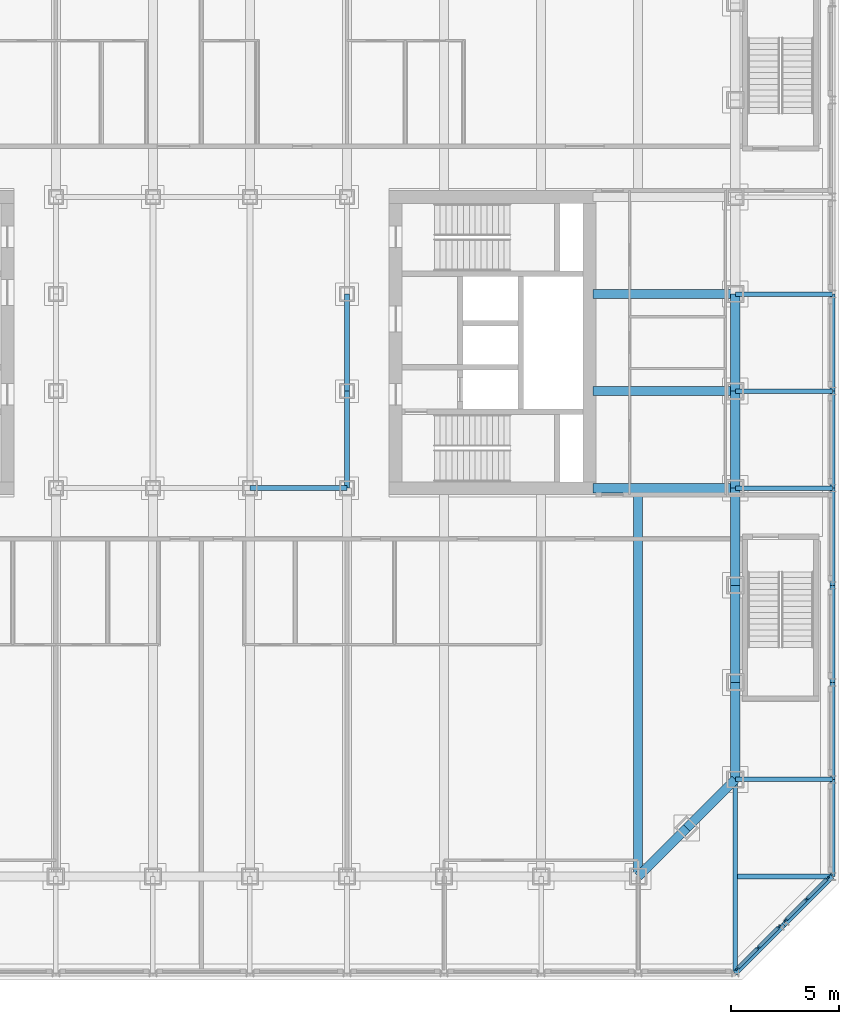
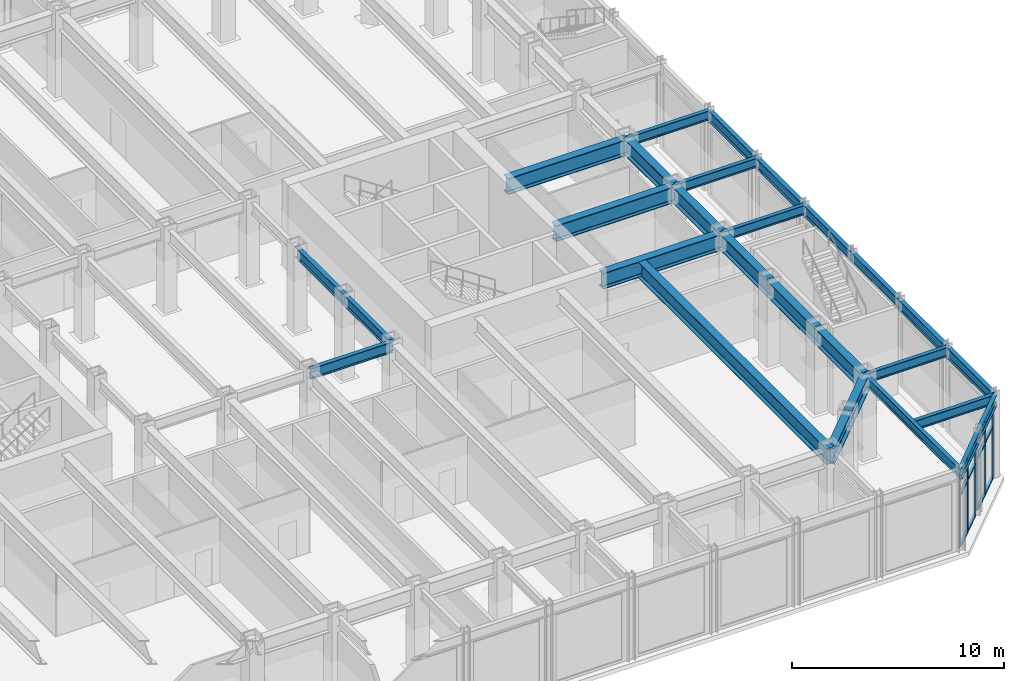
# One storey, part 6 of 19: 28 beams, 18 members, 2 elements without a shape of their own.
"""IFC4 building model written with IfcOpenShell, lengths in metres."""

from ifc_helpers import new_model, si_unit, direction, frame, origin, origin_2d, place, context, subcontext, project, spatial, rectangle, i_section, extrude, material, material_profile, profile_set, type_object, element, aggregate, save


model = new_model("IFC4")

# Units and contexts
model_context = context("Model", 3, precision=1e-05, world=origin(), true_north=direction((0.0, 1.0)))
body_context = subcontext(model_context, "Body", "Model", "MODEL_VIEW")
ifc_project = project(units=[si_unit("LENGTHUNIT", "METRE"), si_unit("AREAUNIT", "SQUARE_METRE"), si_unit("VOLUMEUNIT", "CUBIC_METRE"), si_unit("PLANEANGLEUNIT", "RADIAN"), si_unit("MASSUNIT", "GRAM", prefix="KILO")], contexts=[model_context])

# Site, building, storey
site_placement = place(None, origin())
site = spatial("IfcSite", under=ifc_project, at=site_placement, CompositionType="ELEMENT")
building_placement = place(site_placement, origin())
building = spatial("IfcBuilding", under=site, at=building_placement, Name="Msasa Ring Tower", CompositionType="ELEMENT")
storey_placement = place(building_placement, frame((0.0, 0.0, 11.0)))
storey = spatial("IfcBuildingStorey", under=building, at=storey_placement, Name="L02", CompositionType="ELEMENT", Elevation=11.0)

# Curtain wall, members
ifc_material_1 = material(Name="Aluminium curtain wall with clear glass", Category="aluminium")
curtain_wall_type = type_object("IfcCurtainWallType", Name="CW-K PODIUM CORNER CURTAIN WALL", PredefinedType="NOTDEFINED", material=ifc_material_1)
curtain_wall_1_placement = place(storey_placement, origin())
curtain_wall_1 = element("IfcCurtainWall", 1, at=curtain_wall_1_placement, inside=storey, type_object=curtain_wall_type, Name="Podium corner curtain wall SE L02", PredefinedType="NOTDEFINED")
ifc_material_2 = material(Name="Aluminium mullion", Category="aluminium")
ifc_material_profile_1 = material_profile(ifc_material_2, rectangle(XDim=0.070068359375, YDim=0.199951171875, at=origin_2d()), Name="AL 70x200")
ifc_profile_set_1 = profile_set([ifc_material_profile_1], Name="Aluminium mullion")
member_type_1 = type_object("IfcMemberType", Name="CW-K MULLION 70x200", PredefinedType="MULLION", material=ifc_profile_set_1)
member_1_placement = place(storey_placement, frame((24.836669921875, -29.02197265625, 0.0), z_axis=(0.0, 0.0, 1.0), x_axis=(-0.707106781187, 0.707106781187, 0.0)))
member_1 = element("IfcMember", 2, at=member_1_placement, type_object=member_type_1, Name="CW-K mullion 1", PredefinedType="MULLION", context=body_context, shape_type="SweptSolid", body=[
    extrude(rectangle(XDim=0.070068359375, YDim=0.199951171875, at=origin_2d()), origin(), (0.0, 0.0, 1.0), 4.1328125),
])
member_2_placement = place(storey_placement, frame((25.80419921875, -28.05419921875, 0.0), z_axis=(0.0, 0.0, 1.0), x_axis=(-0.707106781187, 0.707106781187, 0.0)))
member_2 = element("IfcMember", 3, at=member_2_placement, type_object=member_type_1, Name="CW-K mullion 2", PredefinedType="MULLION", context=body_context, shape_type="SweptSolid", body=[
    extrude(rectangle(XDim=0.070068359375, YDim=0.199951171875, at=origin_2d()), origin(), (0.0, 0.0, 1.0), 4.1328125),
])
member_3_placement = place(storey_placement, frame((26.77197265625, -27.086669921875, 0.0), z_axis=(0.0, 0.0, 1.0), x_axis=(-0.707106781187, 0.707106781187, 0.0)))
member_3 = element("IfcMember", 4, at=member_3_placement, type_object=member_type_1, Name="CW-K mullion 3", PredefinedType="MULLION", context=body_context, shape_type="SweptSolid", body=[
    extrude(rectangle(XDim=0.070068359375, YDim=0.199951171875, at=origin_2d()), origin(), (0.0, 0.0, 1.0), 4.1328125),
])

curtain_wall_2_placement = place(storey_placement, origin())
curtain_wall_2 = element("IfcCurtainWall", 5, at=curtain_wall_2_placement, inside=storey, type_object=curtain_wall_type, Name="Podium corner curtain wall SE L02", PredefinedType="NOTDEFINED")
member_4_placement = place(storey_placement, frame((27.086669921875, -26.77197265625, 0.0), z_axis=(0.0, 0.0, 1.0), x_axis=(-0.707106781187, 0.707106781187, 0.0)))
member_4 = element("IfcMember", 6, at=member_4_placement, type_object=member_type_1, Name="CW-K mullion 1", PredefinedType="MULLION", context=body_context, shape_type="SweptSolid", body=[
    extrude(rectangle(XDim=0.070068359375, YDim=0.199951171875, at=origin_2d()), origin(), (0.0, 0.0, 1.0), 4.1328125),
])
member_5_placement = place(storey_placement, frame((28.05419921875, -25.80419921875, 0.0), z_axis=(0.0, 0.0, 1.0), x_axis=(-0.707106781187, 0.707106781187, 0.0)))
member_5 = element("IfcMember", 7, at=member_5_placement, type_object=member_type_1, Name="CW-K mullion 2", PredefinedType="MULLION", context=body_context, shape_type="SweptSolid", body=[
    extrude(rectangle(XDim=0.070068359375, YDim=0.199951171875, at=origin_2d()), origin(), (0.0, 0.0, 1.0), 4.1328125),
])
member_6_placement = place(storey_placement, frame((29.02197265625, -24.836669921875, 0.0), z_axis=(0.0, 0.0, 1.0), x_axis=(-0.707106781187, 0.707106781187, 0.0)))
member_6 = element("IfcMember", 8, at=member_6_placement, type_object=member_type_1, Name="CW-K mullion 3", PredefinedType="MULLION", context=body_context, shape_type="SweptSolid", body=[
    extrude(rectangle(XDim=0.070068359375, YDim=0.199951171875, at=origin_2d()), origin(), (0.0, 0.0, 1.0), 4.1328125),
])

# Member
ifc_material_3 = material(Name="Aluminium transom", Category="aluminium")
ifc_material_profile_2 = material_profile(ifc_material_3, rectangle(XDim=0.14990234375, YDim=0.070068359375, at=origin_2d()), Name="AL 70x150")
ifc_profile_set_2 = profile_set([ifc_material_profile_2], Name="Aluminium transom")
member_type_2 = type_object("IfcMemberType", Name="CW-K TRANSOM 70x150", PredefinedType="USERDEFINED", material=ifc_profile_set_2)
member_7_placement = place(storey_placement, frame((24.861572265625, -28.9970703125, 0.034912109375), z_axis=(0.707106781187, 0.707106781187, 0.0), x_axis=(-0.707106781187, 0.707106781187, 0.0)))
member_7 = element("IfcMember", 9, at=member_7_placement, type_object=member_type_2, Name="CW-K transom 1.1", ObjectType="TRANSOM", PredefinedType="USERDEFINED", context=body_context, shape_type="SweptSolid", body=[
    extrude(rectangle(XDim=0.14990234375, YDim=0.070068359375, at=origin_2d()), origin(), (0.0, 0.0, 1.0), 1.298095703125),
])

member_8_placement = place(storey_placement, frame((24.861572265625, -28.9970703125, 3.0), z_axis=(0.707106781187, 0.707106781187, 0.0), x_axis=(-0.707106781187, 0.707106781187, 0.0)))
member_8 = element("IfcMember", 10, at=member_8_placement, type_object=member_type_2, Name="CW-K transom 1.2", ObjectType="TRANSOM", PredefinedType="USERDEFINED", context=body_context, shape_type="SweptSolid", body=[
    extrude(rectangle(XDim=0.14990234375, YDim=0.070068359375, at=origin_2d()), origin(), (0.0, 0.0, 1.0), 1.298095703125),
])

member_9_placement = place(storey_placement, frame((24.861572265625, -28.9970703125, 4.097900390625), z_axis=(0.707106781187, 0.707106781187, 0.0), x_axis=(-0.707106781187, 0.707106781187, 0.0)))
member_9 = element("IfcMember", 11, at=member_9_placement, type_object=member_type_2, Name="CW-K transom 1.3", ObjectType="TRANSOM", PredefinedType="USERDEFINED", context=body_context, shape_type="SweptSolid", body=[
    extrude(rectangle(XDim=0.14990234375, YDim=0.070068359375, at=origin_2d()), origin(), (0.0, 0.0, 1.0), 1.298095703125),
])

member_10_placement = place(storey_placement, frame((25.8291015625, -28.029541015625, 0.034912109375), z_axis=(0.707106781187, 0.707106781187, 0.0), x_axis=(-0.707106781187, 0.707106781187, 0.0)))
member_10 = element("IfcMember", 12, at=member_10_placement, type_object=member_type_2, Name="CW-K transom 2.1", ObjectType="TRANSOM", PredefinedType="USERDEFINED", context=body_context, shape_type="SweptSolid", body=[
    extrude(rectangle(XDim=0.14990234375, YDim=0.070068359375, at=origin_2d()), origin(), (0.0, 0.0, 1.0), 1.298095703125),
])

member_11_placement = place(storey_placement, frame((25.8291015625, -28.029541015625, 3.0), z_axis=(0.707106781187, 0.707106781187, 0.0), x_axis=(-0.707106781187, 0.707106781187, 0.0)))
member_11 = element("IfcMember", 13, at=member_11_placement, type_object=member_type_2, Name="CW-K transom 2.2", ObjectType="TRANSOM", PredefinedType="USERDEFINED", context=body_context, shape_type="SweptSolid", body=[
    extrude(rectangle(XDim=0.14990234375, YDim=0.070068359375, at=origin_2d()), origin(), (0.0, 0.0, 1.0), 1.298095703125),
])

member_12_placement = place(storey_placement, frame((25.8291015625, -28.029541015625, 4.097900390625), z_axis=(0.707106781187, 0.707106781187, 0.0), x_axis=(-0.707106781187, 0.707106781187, 0.0)))
member_12 = element("IfcMember", 14, at=member_12_placement, type_object=member_type_2, Name="CW-K transom 2.3", ObjectType="TRANSOM", PredefinedType="USERDEFINED", context=body_context, shape_type="SweptSolid", body=[
    extrude(rectangle(XDim=0.14990234375, YDim=0.070068359375, at=origin_2d()), origin(), (0.0, 0.0, 1.0), 1.298095703125),
])

aggregate(curtain_wall_1, [member_1, member_2, member_3, member_7, member_8, member_9, member_10, member_11, member_12])

member_13_placement = place(storey_placement, frame((27.111572265625, -26.7470703125, 0.034912109375), z_axis=(0.707106781187, 0.707106781187, 0.0), x_axis=(-0.707106781187, 0.707106781187, 0.0)))
member_13 = element("IfcMember", 15, at=member_13_placement, type_object=member_type_2, Name="CW-K transom 1.1", ObjectType="TRANSOM", PredefinedType="USERDEFINED", context=body_context, shape_type="SweptSolid", body=[
    extrude(rectangle(XDim=0.14990234375, YDim=0.070068359375, at=origin_2d()), origin(), (0.0, 0.0, 1.0), 1.298095703125),
])

member_14_placement = place(storey_placement, frame((27.111572265625, -26.7470703125, 3.0), z_axis=(0.707106781187, 0.707106781187, 0.0), x_axis=(-0.707106781187, 0.707106781187, 0.0)))
member_14 = element("IfcMember", 16, at=member_14_placement, type_object=member_type_2, Name="CW-K transom 1.2", ObjectType="TRANSOM", PredefinedType="USERDEFINED", context=body_context, shape_type="SweptSolid", body=[
    extrude(rectangle(XDim=0.14990234375, YDim=0.070068359375, at=origin_2d()), origin(), (0.0, 0.0, 1.0), 1.298095703125),
])

member_15_placement = place(storey_placement, frame((27.111572265625, -26.7470703125, 4.097900390625), z_axis=(0.707106781187, 0.707106781187, 0.0), x_axis=(-0.707106781187, 0.707106781187, 0.0)))
member_15 = element("IfcMember", 17, at=member_15_placement, type_object=member_type_2, Name="CW-K transom 1.3", ObjectType="TRANSOM", PredefinedType="USERDEFINED", context=body_context, shape_type="SweptSolid", body=[
    extrude(rectangle(XDim=0.14990234375, YDim=0.070068359375, at=origin_2d()), origin(), (0.0, 0.0, 1.0), 1.298095703125),
])

member_16_placement = place(storey_placement, frame((28.0791015625, -25.779541015625, 0.034912109375), z_axis=(0.707106781187, 0.707106781187, 0.0), x_axis=(-0.707106781187, 0.707106781187, 0.0)))
member_16 = element("IfcMember", 18, at=member_16_placement, type_object=member_type_2, Name="CW-K transom 2.1", ObjectType="TRANSOM", PredefinedType="USERDEFINED", context=body_context, shape_type="SweptSolid", body=[
    extrude(rectangle(XDim=0.14990234375, YDim=0.070068359375, at=origin_2d()), origin(), (0.0, 0.0, 1.0), 1.298095703125),
])

member_17_placement = place(storey_placement, frame((28.0791015625, -25.779541015625, 3.0), z_axis=(0.707106781187, 0.707106781187, 0.0), x_axis=(-0.707106781187, 0.707106781187, 0.0)))
member_17 = element("IfcMember", 19, at=member_17_placement, type_object=member_type_2, Name="CW-K transom 2.2", ObjectType="TRANSOM", PredefinedType="USERDEFINED", context=body_context, shape_type="SweptSolid", body=[
    extrude(rectangle(XDim=0.14990234375, YDim=0.070068359375, at=origin_2d()), origin(), (0.0, 0.0, 1.0), 1.298095703125),
])

member_18_placement = place(storey_placement, frame((28.0791015625, -25.779541015625, 4.097900390625), z_axis=(0.707106781187, 0.707106781187, 0.0), x_axis=(-0.707106781187, 0.707106781187, 0.0)))
member_18 = element("IfcMember", 20, at=member_18_placement, type_object=member_type_2, Name="CW-K transom 2.3", ObjectType="TRANSOM", PredefinedType="USERDEFINED", context=body_context, shape_type="SweptSolid", body=[
    extrude(rectangle(XDim=0.14990234375, YDim=0.070068359375, at=origin_2d()), origin(), (0.0, 0.0, 1.0), 1.298095703125),
])

aggregate(curtain_wall_2, [member_4, member_5, member_6, member_13, member_14, member_15, member_16, member_17, member_18])

# Beams
ifc_material_4 = material(Name="Steel S355", Category="steel")
ifc_material_profile_3 = material_profile(ifc_material_4, i_section(OverallWidth=0.41845703125, OverallDepth=0.911865234375, WebThickness=0.019287109375, FlangeThickness=0.031982421875, FilletRadius=0.024169921875, at=origin_2d()), Name="UB 914x419x343")
ifc_profile_set_3 = profile_set([ifc_material_profile_3], Name="Steel S355")
beam_type_1 = type_object("IfcBeamType", Name="FB1 UB 914x419x343", PredefinedType="BEAM", material=ifc_profile_set_3)
beam_1_placement = place(storey_placement, frame((20.25, -24.75, 4.294189453125), z_axis=(0.0, 1.0, 0.0), x_axis=(-1.0, 0.0, 0.0)))
element("IfcBeam", 21, at=beam_1_placement, inside=storey, type_object=beam_type_1, Name="Floor beam S+20.25 under L03", PredefinedType="BEAM", context=body_context, shape_type="SweptSolid", body=[
    extrude(i_section(OverallWidth=0.41845703125, OverallDepth=0.911865234375, WebThickness=0.019287109375, FlangeThickness=0.031982421875, FilletRadius=0.024169921875, at=origin_2d()), origin(), (0.0, 0.0, 1.0), 17.789794921875),
])
ifc_material_5 = material(Name="Steel S355", Category="steel")
ifc_material_profile_4 = material_profile(ifc_material_5, i_section(OverallWidth=0.42041015625, OverallDepth=0.9208984375, WebThickness=0.021484375, FlangeThickness=0.03662109375, FilletRadius=0.024169921875, at=origin_2d()), Name="UB 914x419x388")
ifc_profile_set_4 = profile_set([ifc_material_profile_4], Name="Steel S355")
beam_type_2 = type_object("IfcBeamType", Name="FB2 UB 914x419x388", PredefinedType="BEAM", material=ifc_profile_set_4)
for number, where, z_axis, x_axis, name in (
    (22, (24.75, -2.25, 4.28955078125), (-1.0, 0.0, 0.0), (0.0, -1.0, 0.0), "Floor beam E -2.25 under L03"),
    (23, (24.75, 2.25, 4.28955078125), (-1.0, 0.0, 0.0), (0.0, -1.0, 0.0), "Floor beam E +2.25 under L03"),
):
    element("IfcBeam", number, at=place(storey_placement, frame(where, z_axis=z_axis, x_axis=x_axis)), inside=storey, type_object=beam_type_2, Name=name, PredefinedType="BEAM", context=body_context, shape_type="SweptSolid", body=[
        extrude(i_section(OverallWidth=0.42041015625, OverallDepth=0.9208984375, WebThickness=0.021484375, FlangeThickness=0.03662109375, FilletRadius=0.024169921875, at=origin_2d()), origin(), (0.0, 0.0, 1.0), 6.60009765625),
    ])
ifc_material_6 = material(Name="Steel S355", Category="steel")
ifc_material_profile_5 = material_profile(ifc_material_6, i_section(OverallWidth=0.42041015625, OverallDepth=0.9208984375, WebThickness=0.021484375, FlangeThickness=0.03662109375, FilletRadius=0.024169921875, at=origin_2d()), Name="UB 914x419x388")
ifc_profile_set_5 = profile_set([ifc_material_profile_5], Name="Steel S355")
beam_type_3 = type_object("IfcBeamType", Name="GB1 UB 914x419x388", PredefinedType="BEAM", material=ifc_profile_set_5)
beam_2_placement = place(storey_placement, frame((18.14990234375, -6.75, 4.28955078125), z_axis=(1.0, 0.0, 0.0), x_axis=(0.0, 1.0, 0.0)))
element("IfcBeam", 24, at=beam_2_placement, inside=storey, type_object=beam_type_3, Name="Girder E -6.75 under L03", PredefinedType="BEAM", context=body_context, shape_type="SweptSolid", body=[
    extrude(i_section(OverallWidth=0.42041015625, OverallDepth=0.9208984375, WebThickness=0.021484375, FlangeThickness=0.03662109375, FilletRadius=0.024169921875, at=origin_2d()), origin(), (0.0, 0.0, 1.0), 6.60009765625),
])
ifc_material_7 = material(Name="Steel S355", Category="steel")
ifc_material_profile_6 = material_profile(ifc_material_7, i_section(OverallWidth=0.2119140625, OverallDepth=0.54443359375, WebThickness=0.0126953125, FlangeThickness=0.021240234375, FilletRadius=0.0126953125, at=origin_2d()), Name="UB 533x210x122")
ifc_profile_set_6 = profile_set([ifc_material_profile_6], Name="Steel S355")
beam_type_4 = type_object("IfcBeamType", Name="PB1 UB 533x210x122", PredefinedType="BEAM", material=ifc_profile_set_6)
beam_3_placement = place(storey_placement, frame((29.25, -24.75, 4.477783203125), z_axis=(-1.0, 0.0, 0.0), x_axis=(0.0, -1.0, 0.0)))
element("IfcBeam", 25, at=beam_3_placement, inside=storey, type_object=beam_type_4, Name="Podium beam E-24.75 under L03", PredefinedType="BEAM", context=body_context, shape_type="SweptSolid", body=[
    extrude(i_section(OverallWidth=0.2119140625, OverallDepth=0.54443359375, WebThickness=0.0126953125, FlangeThickness=0.021240234375, FilletRadius=0.0126953125, at=origin_2d()), origin(), (0.0, 0.0, 1.0), 4.39404296875),
])
for number, where, z_axis, x_axis, name in (
    (26, (29.25, -20.25, 4.477783203125), (-1.0, 0.0, 0.0), (0.0, -1.0, 0.0), "Podium beam E-20.25 under L03"),
    (27, (29.25, -6.75, 4.477783203125), (-1.0, 0.0, 0.0), (0.0, -1.0, 0.0), "Podium beam E-6.75 under L03"),
    (28, (29.25, -2.25, 4.477783203125), (-1.0, 0.0, 0.0), (0.0, -1.0, 0.0), "Podium beam E-2.25 under L03"),
    (29, (29.25, 2.25, 4.477783203125), (-1.0, 0.0, 0.0), (0.0, -1.0, 0.0), "Podium beam E+2.25 under L03"),
):
    element("IfcBeam", number, at=place(storey_placement, frame(where, z_axis=z_axis, x_axis=x_axis)), inside=storey, type_object=beam_type_4, Name=name, PredefinedType="BEAM", context=body_context, shape_type="SweptSolid", body=[
        extrude(i_section(OverallWidth=0.2119140625, OverallDepth=0.54443359375, WebThickness=0.0126953125, FlangeThickness=0.021240234375, FilletRadius=0.0126953125, at=origin_2d()), origin(), (0.0, 0.0, 1.0), 4.5),
    ])
beam_4_placement = place(storey_placement, frame((24.75, -29.25, 4.477783203125), z_axis=(0.0, 1.0, 0.0), x_axis=(-1.0, 0.0, 0.0)))
element("IfcBeam", 30, at=beam_4_placement, inside=storey, type_object=beam_type_4, Name="Podium beam S+24.75 under L03", PredefinedType="BEAM", context=body_context, shape_type="SweptSolid", body=[
    extrude(i_section(OverallWidth=0.2119140625, OverallDepth=0.54443359375, WebThickness=0.0126953125, FlangeThickness=0.021240234375, FilletRadius=0.0126953125, at=origin_2d()), origin(), (0.0, 0.0, 1.0), 9.0),
])
ifc_material_8 = material(Name="Steel S355", Category="steel")
ifc_material_profile_7 = material_profile(ifc_material_8, i_section(OverallWidth=0.230224609375, OverallDepth=0.6171875, WebThickness=0.01318359375, FlangeThickness=0.022216796875, FilletRadius=0.0126953125, at=origin_2d()), Name="UB 610x229x140")
ifc_profile_set_7 = profile_set([ifc_material_profile_7], Name="Steel S355")
beam_type_5 = type_object("IfcBeamType", Name="RB1 UB 610x229x140", PredefinedType="BEAM", material=ifc_profile_set_7)
for number, where, z_axis, x_axis, name in (
    (31, (2.25, -6.75, 4.44140625), (1.0, 0.0, 0.0), (0.0, 1.0, 0.0), "Inner ring beam IR+2.25-6.75 under L03"),
    (32, (6.75, -6.75, 4.44140625), (0.0, 1.0, 0.0), (-1.0, 0.0, 0.0), "Inner ring beam IR+6.75-6.75 under L03"),
    (33, (6.75, -2.25, 4.44140625), (0.0, 1.0, 0.0), (-1.0, 0.0, 0.0), "Inner ring beam IR+6.75-2.25 under L03"),
):
    element("IfcBeam", number, at=place(storey_placement, frame(where, z_axis=z_axis, x_axis=x_axis)), inside=storey, type_object=beam_type_5, Name=name, PredefinedType="BEAM", context=body_context, shape_type="SweptSolid", body=[
        extrude(i_section(OverallWidth=0.230224609375, OverallDepth=0.6171875, WebThickness=0.01318359375, FlangeThickness=0.022216796875, FilletRadius=0.0126953125, at=origin_2d()), origin(), (0.0, 0.0, 1.0), 4.5),
    ])
ifc_material_9 = material(Name="Steel S355", Category="steel")
ifc_material_profile_8 = material_profile(ifc_material_9, i_section(OverallWidth=0.42041015625, OverallDepth=0.9208984375, WebThickness=0.021484375, FlangeThickness=0.03662109375, FilletRadius=0.024169921875, at=origin_2d()), Name="UB 914x419x388")
ifc_profile_set_8 = profile_set([ifc_material_profile_8], Name="Steel S355")
beam_type_6 = type_object("IfcBeamType", Name="SB1 UB 914x419x388", PredefinedType="SPANDREL", material=ifc_profile_set_8)
for number, where, z_axis, x_axis, name in (
    (34, (20.25, -24.75, 4.28955078125), (0.707106781187, 0.707106781187, 0.0), (-0.707106781187, 0.707106781187, 0.0), "Spandrel S+20.25 to SE under L03"),
    (35, (22.5, -22.5, 4.28955078125), (0.707106781187, 0.707106781187, 0.0), (-0.707106781187, 0.707106781187, 0.0), "Spandrel SE to E-20.25 under L03"),
):
    element("IfcBeam", number, at=place(storey_placement, frame(where, z_axis=z_axis, x_axis=x_axis)), inside=storey, type_object=beam_type_6, Name=name, PredefinedType="SPANDREL", context=body_context, shape_type="SweptSolid", body=[
        extrude(i_section(OverallWidth=0.42041015625, OverallDepth=0.9208984375, WebThickness=0.021484375, FlangeThickness=0.03662109375, FilletRadius=0.024169921875, at=origin_2d()), origin(), (0.0, 0.0, 1.0), 3.181884765625),
    ])
for number, where, z_axis, x_axis, name in (
    (36, (24.75, -20.25, 4.28955078125), (0.0, 1.0, 0.0), (-1.0, 0.0, 0.0), "Spandrel E-20.25 to E-15.75 under L03"),
    (37, (24.75, -15.75, 4.28955078125), (0.0, 1.0, 0.0), (-1.0, 0.0, 0.0), "Spandrel E-15.75 to E-11.25 under L03"),
    (38, (24.75, -11.25, 4.28955078125), (0.0, 1.0, 0.0), (-1.0, 0.0, 0.0), "Spandrel E-11.25 to E-6.75 under L03"),
    (39, (24.75, -6.75, 4.28955078125), (0.0, 1.0, 0.0), (-1.0, 0.0, 0.0), "Spandrel E-6.75 to E-2.25 under L03"),
    (40, (24.75, -2.25, 4.28955078125), (0.0, 1.0, 0.0), (-1.0, 0.0, 0.0), "Spandrel E-2.25 to E+2.25 under L03"),
):
    element("IfcBeam", number, at=place(storey_placement, frame(where, z_axis=z_axis, x_axis=x_axis)), inside=storey, type_object=beam_type_6, Name=name, PredefinedType="SPANDREL", context=body_context, shape_type="SweptSolid", body=[
        extrude(i_section(OverallWidth=0.42041015625, OverallDepth=0.9208984375, WebThickness=0.021484375, FlangeThickness=0.03662109375, FilletRadius=0.024169921875, at=origin_2d()), origin(), (0.0, 0.0, 1.0), 4.5),
    ])
ifc_material_10 = material(Name="Steel S355", Category="steel")
ifc_material_profile_9 = material_profile(ifc_material_10, i_section(OverallWidth=0.230224609375, OverallDepth=0.6171875, WebThickness=0.01318359375, FlangeThickness=0.022216796875, FilletRadius=0.0126953125, at=origin_2d()), Name="UB 610x229x140")
ifc_profile_set_9 = profile_set([ifc_material_profile_9], Name="Steel S355")
beam_type_7 = type_object("IfcBeamType", Name="SB2 UB 610x229x140", PredefinedType="SPANDREL", material=ifc_profile_set_9)
for number, where, z_axis, x_axis, name in (
    (41, (24.75, -29.25, 4.44140625), (0.707106781187, 0.707106781187, 0.0), (-0.707106781187, 0.707106781187, 0.0), "Podium spandrel S+24.75 under L03"),
    (42, (27.0, -27.0, 4.44140625), (0.707106781187, 0.707106781187, 0.0), (-0.707106781187, 0.707106781187, 0.0), "Podium spandrel SE under L03"),
):
    element("IfcBeam", number, at=place(storey_placement, frame(where, z_axis=z_axis, x_axis=x_axis)), inside=storey, type_object=beam_type_7, Name=name, PredefinedType="SPANDREL", context=body_context, shape_type="SweptSolid", body=[
        extrude(i_section(OverallWidth=0.230224609375, OverallDepth=0.6171875, WebThickness=0.01318359375, FlangeThickness=0.022216796875, FilletRadius=0.0126953125, at=origin_2d()), origin(), (0.0, 0.0, 1.0), 3.181884765625),
    ])
for number, where, z_axis, x_axis, name in (
    (43, (29.25, -24.75, 4.44140625), (0.0, 1.0, 0.0), (-1.0, 0.0, 0.0), "Podium spandrel E-24.75 under L03"),
    (44, (29.25, -20.25, 4.44140625), (0.0, 1.0, 0.0), (-1.0, 0.0, 0.0), "Podium spandrel E-20.25 under L03"),
    (45, (29.25, -15.75, 4.44140625), (0.0, 1.0, 0.0), (-1.0, 0.0, 0.0), "Podium spandrel E-15.75 under L03"),
    (46, (29.25, -11.25, 4.44140625), (0.0, 1.0, 0.0), (-1.0, 0.0, 0.0), "Podium spandrel E-11.25 under L03"),
    (47, (29.25, -6.75, 4.44140625), (0.0, 1.0, 0.0), (-1.0, 0.0, 0.0), "Podium spandrel E-6.75 under L03"),
    (48, (29.25, -2.25, 4.44140625), (0.0, 1.0, 0.0), (-1.0, 0.0, 0.0), "Podium spandrel E-2.25 under L03"),
):
    element("IfcBeam", number, at=place(storey_placement, frame(where, z_axis=z_axis, x_axis=x_axis)), inside=storey, type_object=beam_type_7, Name=name, PredefinedType="SPANDREL", context=body_context, shape_type="SweptSolid", body=[
        extrude(i_section(OverallWidth=0.230224609375, OverallDepth=0.6171875, WebThickness=0.01318359375, FlangeThickness=0.022216796875, FilletRadius=0.0126953125, at=origin_2d()), origin(), (0.0, 0.0, 1.0), 4.5),
    ])

save(model, "model.ifc")
